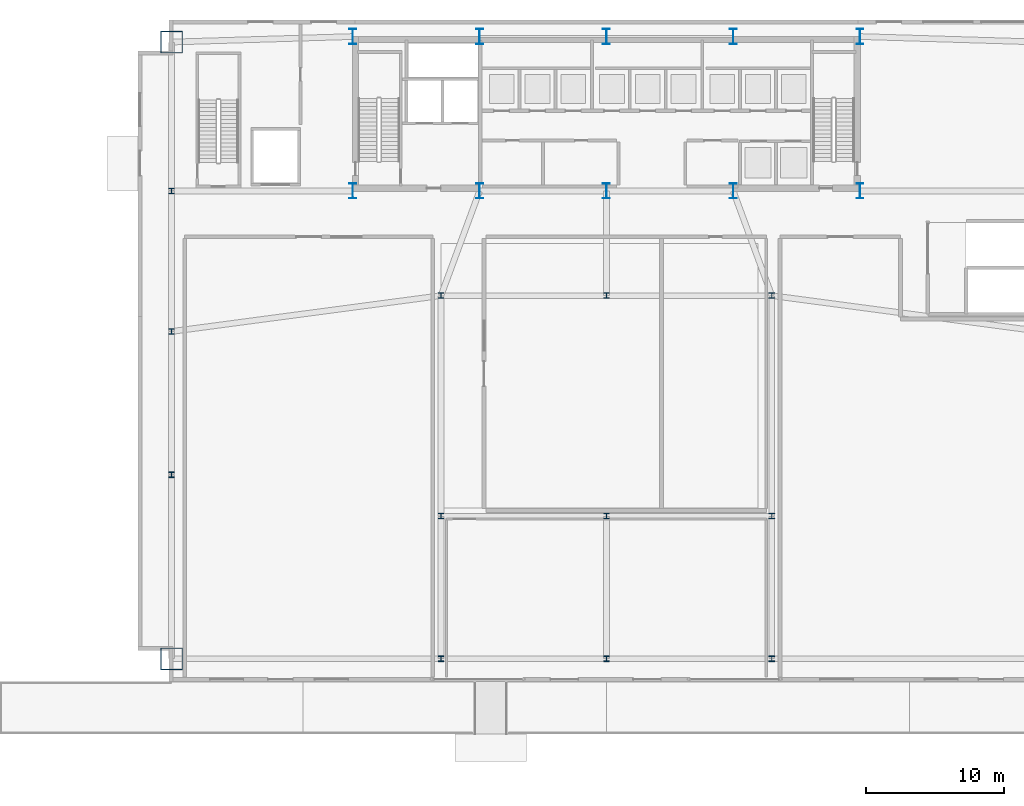
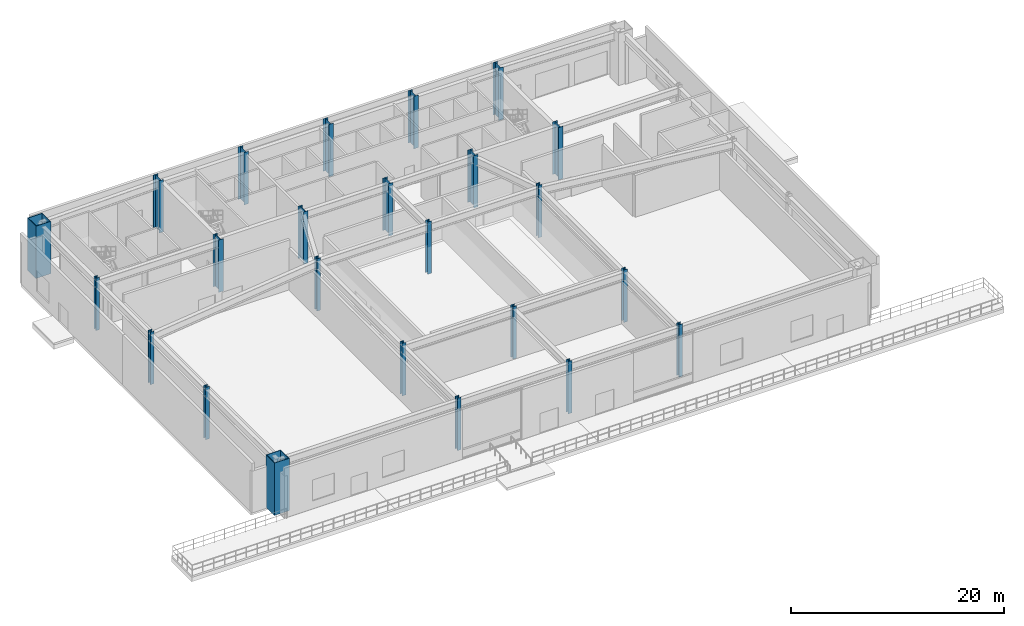
# One storey, part 1 of 17: 24 columns.
"""IFC4 building model written with IfcOpenShell, lengths in metres."""

from ifc_helpers import new_model, si_unit, direction, frame, origin, origin_2d, place, context, subcontext, project, spatial, hollow_rectangle, i_section, extrude, source, transform, mapped, material, material_profile, profile_set, type_object, type_shapes, element, save


model = new_model("IFC4")

# Units and contexts
model_context = context("Model", 3, precision=1e-05, world=origin(), true_north=direction((0.0, 1.0)))
body_context = subcontext(model_context, "Body", "Model", "MODEL_VIEW")
ifc_project = project(units=[si_unit("LENGTHUNIT", "METRE"), si_unit("AREAUNIT", "SQUARE_METRE"), si_unit("VOLUMEUNIT", "CUBIC_METRE"), si_unit("PLANEANGLEUNIT", "RADIAN"), si_unit("MASSUNIT", "GRAM", prefix="KILO")], contexts=[model_context])

# Site, building, storey
site_placement = place(None, origin())
site = spatial("IfcSite", under=ifc_project, at=site_placement, CompositionType="ELEMENT")
building_placement = place(site_placement, origin())
building = spatial("IfcBuilding", under=site, at=building_placement, Name="Varnel Quay Broadcast Tower", CompositionType="ELEMENT")
storey_placement = place(building_placement, origin())
storey = spatial("IfcBuildingStorey", under=building, at=storey_placement, Name="L00", CompositionType="ELEMENT", Elevation=0.0)

# Columns
ifc_material_1 = material(Name="Structural Steel CSA G40.21 350WT", Category="steel")
ifc_material_profile_1 = material_profile(ifc_material_1, i_section(OverallWidth=0.5, OverallDepth=1.10009765625, WebThickness=0.01806640625, FlangeThickness=0.031982421875, FilletRadius=0.01806640625, at=origin_2d()), Name="WWF1100X418")
ifc_profile_set_1 = profile_set([ifc_material_profile_1], Name="Structural Steel CSA G40.21 350WT")
column_type_1 = type_object("IfcColumnType", Name="Col_WWF1100X418", PredefinedType="COLUMN", material=ifc_profile_set_1)
shared_shape_1 = source(origin(), body_context, "Body", "SweptSolid", [
    extrude(i_section(OverallWidth=0.5, OverallDepth=1.10009765625, WebThickness=0.01806640625, FlangeThickness=0.031982421875, FilletRadius=0.01806640625, at=origin_2d()), origin(), (0.0, 0.0, 1.0), 6.0),
])
type_shapes(column_type_1, [shared_shape_1])
for number, where, z_axis, x_axis, name in (
    (1, (15.60009765625, 35.60009765625, 0.0), (0.0, 0.0, 1.0), (1.0, 0.0, 0.0), "L00 Column CC-S1"),
    (2, (15.60009765625, 46.800048828125, 0.0), (0.0, 0.0, 1.0), (1.0, 0.0, 0.0), "L00 Column CC-N1"),
    (3, (24.800048828125, 35.60009765625, 0.0), (0.0, 0.0, 1.0), (1.0, 0.0, 0.0), "L00 Column CC-S2"),
    (4, (24.800048828125, 46.800048828125, 0.0), (0.0, 0.0, 1.0), (1.0, 0.0, 0.0), "L00 Column CC-N2"),
    (5, (34.0, 35.60009765625, 0.0), (0.0, 0.0, 1.0), (1.0, 0.0, 0.0), "L00 Column CC-S3"),
    (6, (34.0, 46.800048828125, 0.0), (0.0, 0.0, 1.0), (1.0, 0.0, 0.0), "L00 Column CC-N3"),
    (7, (43.199951171875, 35.60009765625, 0.0), (0.0, 0.0, 1.0), (1.0, 0.0, 0.0), "L00 Column CC-S4"),
    (8, (43.199951171875, 46.800048828125, 0.0), (0.0, 0.0, 1.0), (1.0, 0.0, 0.0), "L00 Column CC-N4"),
    (9, (52.39990234375, 35.60009765625, 0.0), (0.0, 0.0, 1.0), (1.0, 0.0, 0.0), "L00 Column CC-S5"),
    (10, (52.39990234375, 46.800048828125, 0.0), (0.0, 0.0, 1.0), (1.0, 0.0, 0.0), "L00 Column CC-N5"),
):
    element("IfcColumn", number, at=place(storey_placement, frame(where, z_axis=z_axis, x_axis=x_axis)), inside=storey, type_object=column_type_1, Name=name, PredefinedType="COLUMN", context=body_context, shape_type="MappedRepresentation", body=[
        mapped(shared_shape_1, transform((0.0, 0.0, 0.0), x_axis=(1.0, 0.0, 0.0), y_axis=(0.0, 1.0, 0.0), z_axis=(0.0, 0.0, 1.0), scale=1.0)),
    ])
ifc_material_profile_2 = material_profile(ifc_material_1, hollow_rectangle(XDim=1.60009765625, YDim=1.60009765625, WallThickness=0.06005859375, at=origin_2d()), Name="BOX1600X1600X60")
ifc_profile_set_2 = profile_set([ifc_material_profile_2], Name="Structural Steel CSA G40.21 350WT")
column_type_2 = type_object("IfcColumnType", Name="Col_BOX1600X1600X60", PredefinedType="COLUMN", material=ifc_profile_set_2)
shared_shape_2 = source(origin(), body_context, "Body", "SweptSolid", [
    extrude(hollow_rectangle(XDim=1.60009765625, YDim=1.60009765625, WallThickness=0.06005859375, at=origin_2d()), origin(), (0.0, 0.0, 1.0), 6.0),
])
type_shapes(column_type_2, [shared_shape_2])
for number, where, z_axis, x_axis, name in (
    (11, (2.449951171875, 1.64990234375, 0.0), (0.0, 0.0, 1.0), (1.0, 0.0, 0.0), "L00 Column MC-SW"),
    (12, (2.449951171875, 46.39990234375, 0.0), (0.0, 0.0, 1.0), (1.0, 0.0, 0.0), "L00 Column MC-NW"),
):
    element("IfcColumn", number, at=place(storey_placement, frame(where, z_axis=z_axis, x_axis=x_axis)), inside=storey, type_object=column_type_2, Name=name, PredefinedType="COLUMN", context=body_context, shape_type="MappedRepresentation", body=[
        mapped(shared_shape_2, transform((0.0, 0.0, 0.0), x_axis=(1.0, 0.0, 0.0), y_axis=(0.0, 1.0, 0.0), z_axis=(0.0, 0.0, 1.0), scale=1.0)),
    ])
ifc_material_2 = material(Name="Structural Steel CSA G40.21 350W", Category="steel")
ifc_material_profile_3 = material_profile(ifc_material_2, i_section(OverallWidth=0.404052734375, OverallDepth=0.406982421875, WebThickness=0.027099609375, FlangeThickness=0.043701171875, FilletRadius=0.01806640625, at=origin_2d()), Name="W360X347")
ifc_profile_set_3 = profile_set([ifc_material_profile_3], Name="Structural Steel CSA G40.21 350W")
column_type_3 = type_object("IfcColumnType", Name="Col_W360X347", PredefinedType="COLUMN", material=ifc_profile_set_3)
shared_shape_3 = source(origin(), body_context, "Body", "SweptSolid", [
    extrude(i_section(OverallWidth=0.404052734375, OverallDepth=0.406982421875, WebThickness=0.027099609375, FlangeThickness=0.043701171875, FilletRadius=0.01806640625, at=origin_2d()), origin(), (0.0, 0.0, 1.0), 6.0),
])
type_shapes(column_type_3, [shared_shape_3])
for number, where, z_axis, x_axis, name in (
    (13, (22.0, 1.64990234375, 0.0), (0.0, 0.0, 1.0), (1.0, 0.0, 0.0), "L00 Column PC-01"),
    (14, (34.0, 1.64990234375, 0.0), (0.0, 0.0, 1.0), (1.0, 0.0, 0.0), "L00 Column PC-02"),
    (15, (46.0, 1.64990234375, 0.0), (0.0, 0.0, 1.0), (1.0, 0.0, 0.0), "L00 Column PC-03"),
    (16, (22.0, 12.0, 0.0), (0.0, 0.0, 1.0), (1.0, 0.0, 0.0), "L00 Column PC-04"),
    (17, (34.0, 12.0, 0.0), (0.0, 0.0, 1.0), (1.0, 0.0, 0.0), "L00 Column PC-04B"),
    (18, (46.0, 12.0, 0.0), (0.0, 0.0, 1.0), (1.0, 0.0, 0.0), "L00 Column PC-05"),
    (19, (22.0, 28.0, 0.0), (0.0, 0.0, 1.0), (1.0, 0.0, 0.0), "L00 Column PC-06"),
    (20, (34.0, 28.0, 0.0), (0.0, 0.0, 1.0), (1.0, 0.0, 0.0), "L00 Column PC-07"),
    (21, (46.0, 28.0, 0.0), (0.0, 0.0, 1.0), (1.0, 0.0, 0.0), "L00 Column PC-08"),
    (22, (2.449951171875, 15.0, 0.0), (0.0, 0.0, 1.0), (1.0, 0.0, 0.0), "L00 Column PC-09"),
    (23, (2.449951171875, 25.39990234375, 0.0), (0.0, 0.0, 1.0), (1.0, 0.0, 0.0), "L00 Column PC-10"),
    (24, (2.449951171875, 35.60009765625, 0.0), (0.0, 0.0, 1.0), (1.0, 0.0, 0.0), "L00 Column PC-11"),
):
    element("IfcColumn", number, at=place(storey_placement, frame(where, z_axis=z_axis, x_axis=x_axis)), inside=storey, type_object=column_type_3, Name=name, PredefinedType="COLUMN", context=body_context, shape_type="MappedRepresentation", body=[
        mapped(shared_shape_3, transform((0.0, 0.0, 0.0), x_axis=(1.0, 0.0, 0.0), y_axis=(0.0, 1.0, 0.0), z_axis=(0.0, 0.0, 1.0), scale=1.0)),
    ])

save(model, "model.ifc")
